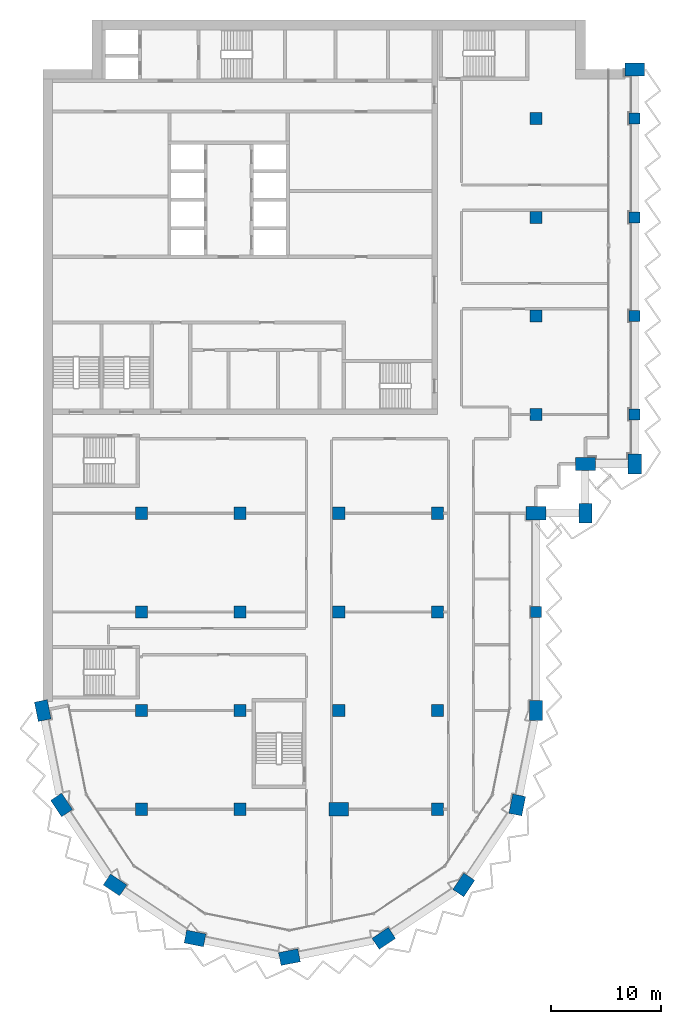
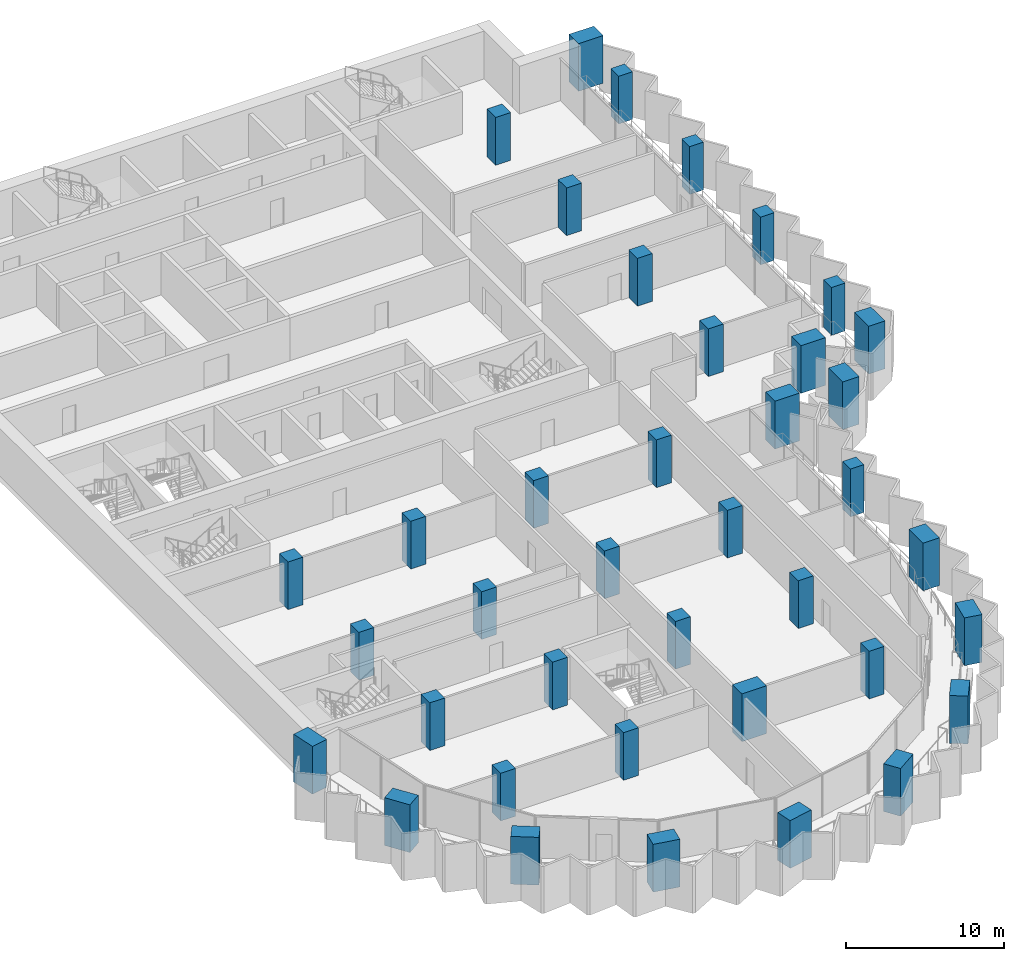
# One storey, part 1 of 17: 39 columns.
"""IFC4 building model written with IfcOpenShell, lengths in metres."""

from ifc_helpers import new_model, si_unit, direction, frame, origin, origin_2d, place, context, subcontext, project, spatial, rectangle, extrude, material, material_profile, profile_set, type_object, element, save


model = new_model("IFC4")

# Units and contexts
model_context = context("Model", 3, precision=1e-05, world=origin(), true_north=direction((0.0, 1.0)))
body_context = subcontext(model_context, "Body", "Model", "MODEL_VIEW")
ifc_project = project(units=[si_unit("LENGTHUNIT", "METRE"), si_unit("AREAUNIT", "SQUARE_METRE"), si_unit("VOLUMEUNIT", "CUBIC_METRE"), si_unit("PLANEANGLEUNIT", "RADIAN"), si_unit("MASSUNIT", "GRAM", prefix="KILO")], contexts=[model_context])

# Site, building, storey
site_placement = place(None, origin())
site = spatial("IfcSite", under=ifc_project, at=site_placement, CompositionType="ELEMENT")
building_placement = place(site_placement, origin())
building = spatial("IfcBuilding", under=site, at=building_placement, Name="Hunhe Ridgeline Campus", CompositionType="ELEMENT")
storey_placement = place(building_placement, frame((0.0, 0.0, 193.89990234375)))
storey = spatial("IfcBuildingStorey", under=building, at=storey_placement, Name="L49", CompositionType="ELEMENT", Elevation=193.89990234375)

# Columns
ifc_material = material(Name="Concrete C60", Category="concrete")
ifc_material_profile_1 = material_profile(ifc_material, rectangle(XDim=1.800048828125, YDim=1.199951171875, at=origin_2d()))
ifc_profile_set_1 = profile_set([ifc_material_profile_1], Name="Concrete C60")
column_type_1 = type_object("IfcColumnType", Name="Megacolumn 1800x1200 Concrete C60", PredefinedType="COLUMN", material=ifc_profile_set_1)
for number, where, z_axis, x_axis, name in (
    (1, (22.5, 13.5, 0.0), (0.0, 0.0, 1.0), (0.980785280403, 0.195090322016, 0.0), "Column C11 R6 L49"),
    (2, (13.8896484375, 15.212646484375, 0.0), (0.0, 0.0, 1.0), (-0.980785280403, 0.195090322016, 0.0), "Column C11 R7 L49"),
    (3, (31.1103515625, 15.212646484375, 0.0), (0.0, 0.0, 1.0), (0.831469612303, 0.55557023302, 0.0), "Column C11 R8 L49"),
    (4, (6.590087890625, 20.090087890625, 0.0), (0.0, 0.0, 1.0), (-0.831469612303, 0.55557023302, 0.0), "Column C11 R11 L49"),
    (5, (38.409912109375, 20.090087890625, 0.0), (0.0, 0.0, 1.0), (0.55557023302, 0.831469612303, 0.0), "Column C11 R12 L49"),
    (6, (1.712646484375, 27.3896484375, 0.0), (0.0, 0.0, 1.0), (-0.55557023302, 0.831469612303, 0.0), "Column C11 R16 L49"),
    (7, (43.287353515625, 27.3896484375, 0.0), (0.0, 0.0, 1.0), (0.195090322016, 0.980785280403, 0.0), "Column C11 R17 L49"),
    (8, (0.0, 36.0, 0.0), (0.0, 0.0, 1.0), (-0.195090322016, 0.980785280403, 0.0), "Column C11 E1 L49"),
    (9, (45.0, 36.0, 0.0), (0.0, 0.0, 1.0), (0.0, 1.0, 0.0), "Column C11 E6 L49"),
    (10, (45.0, 54.0, 0.0), (0.0, 0.0, 1.0), (1.0, 0.0, 0.0), "Column C11 G6 L49"),
    (11, (49.5, 54.0, 0.0), (0.0, 0.0, 1.0), (0.0, 1.0, 0.0), "Column C11 R29 L49"),
    (12, (49.5, 58.5, 0.0), (0.0, 0.0, 1.0), (1.0, 0.0, 0.0), "Column C11 R33 L49"),
    (13, (54.0, 58.5, 0.0), (0.0, 0.0, 1.0), (0.0, 1.0, 0.0), "Column C11 R34 L49"),
    (14, (54.0, 94.5, 0.0), (0.0, 0.0, 1.0), (1.0, 0.0, 0.0), "Column C11 R41 L49"),
    (15, (27.0, 27.0, 0.0), (0.0, 0.0, 1.0), (1.0, 0.0, 0.0), "Column C11 D4 L49"),
):
    element("IfcColumn", number, at=place(storey_placement, frame(where, z_axis=z_axis, x_axis=x_axis)), inside=storey, type_object=column_type_1, Name=name, PredefinedType="COLUMN", context=body_context, shape_type="SweptSolid", body=[
        extrude(rectangle(XDim=1.800048828125, YDim=1.199951171875, at=origin_2d()), origin(), (0.0, 0.0, 1.0), 3.7001953125),
    ])
ifc_material_profile_2 = material_profile(ifc_material, rectangle(XDim=1.0, YDim=1.0, at=origin_2d()))
ifc_profile_set_2 = profile_set([ifc_material_profile_2], Name="Concrete C60")
column_type_2 = type_object("IfcColumnType", Name="RC column 1000x1000 Concrete C60", PredefinedType="COLUMN", material=ifc_profile_set_2)
for number, where, z_axis, x_axis, name in (
    (16, (45.0, 45.0, 0.0), (0.0, 0.0, 1.0), (1.0, 0.0, 0.0), "Column C12 F6 L49"),
    (17, (54.0, 63.0, 0.0), (0.0, 0.0, 1.0), (1.0, 0.0, 0.0), "Column C12 H7 L49"),
    (18, (54.0, 72.0, 0.0), (0.0, 0.0, 1.0), (1.0, 0.0, 0.0), "Column C12 I7 L49"),
    (19, (54.0, 81.0, 0.0), (0.0, 0.0, 1.0), (1.0, 0.0, 0.0), "Column C12 J7 L49"),
    (20, (54.0, 90.0, 0.0), (0.0, 0.0, 1.0), (1.0, 0.0, 0.0), "Column C12 K7 L49"),
):
    element("IfcColumn", number, at=place(storey_placement, frame(where, z_axis=z_axis, x_axis=x_axis)), inside=storey, type_object=column_type_2, Name=name, PredefinedType="COLUMN", context=body_context, shape_type="SweptSolid", body=[
        extrude(rectangle(XDim=1.0, YDim=1.0, at=origin_2d()), origin(), (0.0, 0.0, 1.0), 3.7001953125),
    ])
ifc_material_profile_3 = material_profile(ifc_material, rectangle(XDim=1.10009765625, YDim=1.10009765625, at=origin_2d()))
ifc_profile_set_3 = profile_set([ifc_material_profile_3], Name="Concrete C60")
column_type_3 = type_object("IfcColumnType", Name="RC column 1100x1100 Concrete C60", PredefinedType="COLUMN", material=ifc_profile_set_3)
for number, where, z_axis, x_axis, name in (
    (21, (9.0, 27.0, 0.0), (0.0, 0.0, 1.0), (1.0, 0.0, 0.0), "Column C13 D2 L49"),
    (22, (9.0, 36.0, 0.0), (0.0, 0.0, 1.0), (1.0, 0.0, 0.0), "Column C13 E2 L49"),
    (23, (9.0, 45.0, 0.0), (0.0, 0.0, 1.0), (1.0, 0.0, 0.0), "Column C13 F2 L49"),
    (24, (9.0, 54.0, 0.0), (0.0, 0.0, 1.0), (1.0, 0.0, 0.0), "Column C13 G2 L49"),
    (25, (18.0, 27.0, 0.0), (0.0, 0.0, 1.0), (1.0, 0.0, 0.0), "Column C13 D3 L49"),
    (26, (18.0, 36.0, 0.0), (0.0, 0.0, 1.0), (1.0, 0.0, 0.0), "Column C13 E3 L49"),
    (27, (18.0, 45.0, 0.0), (0.0, 0.0, 1.0), (1.0, 0.0, 0.0), "Column C13 F3 L49"),
    (28, (18.0, 54.0, 0.0), (0.0, 0.0, 1.0), (1.0, 0.0, 0.0), "Column C13 G3 L49"),
    (29, (27.0, 36.0, 0.0), (0.0, 0.0, 1.0), (1.0, 0.0, 0.0), "Column C13 E4 L49"),
    (30, (27.0, 45.0, 0.0), (0.0, 0.0, 1.0), (1.0, 0.0, 0.0), "Column C13 F4 L49"),
    (31, (27.0, 54.0, 0.0), (0.0, 0.0, 1.0), (1.0, 0.0, 0.0), "Column C13 G4 L49"),
    (32, (36.0, 27.0, 0.0), (0.0, 0.0, 1.0), (1.0, 0.0, 0.0), "Column C13 D5 L49"),
    (33, (36.0, 36.0, 0.0), (0.0, 0.0, 1.0), (1.0, 0.0, 0.0), "Column C13 E5 L49"),
    (34, (36.0, 45.0, 0.0), (0.0, 0.0, 1.0), (1.0, 0.0, 0.0), "Column C13 F5 L49"),
    (35, (36.0, 54.0, 0.0), (0.0, 0.0, 1.0), (1.0, 0.0, 0.0), "Column C13 G5 L49"),
    (36, (45.0, 63.0, 0.0), (0.0, 0.0, 1.0), (1.0, 0.0, 0.0), "Column C13 H6 L49"),
    (37, (45.0, 72.0, 0.0), (0.0, 0.0, 1.0), (1.0, 0.0, 0.0), "Column C13 I6 L49"),
    (38, (45.0, 81.0, 0.0), (0.0, 0.0, 1.0), (1.0, 0.0, 0.0), "Column C13 J6 L49"),
    (39, (45.0, 90.0, 0.0), (0.0, 0.0, 1.0), (1.0, 0.0, 0.0), "Column C13 K6 L49"),
):
    element("IfcColumn", number, at=place(storey_placement, frame(where, z_axis=z_axis, x_axis=x_axis)), inside=storey, type_object=column_type_3, Name=name, PredefinedType="COLUMN", context=body_context, shape_type="SweptSolid", body=[
        extrude(rectangle(XDim=1.10009765625, YDim=1.10009765625, at=origin_2d()), origin(), (0.0, 0.0, 1.0), 3.7001953125),
    ])

save(model, "model.ifc")
